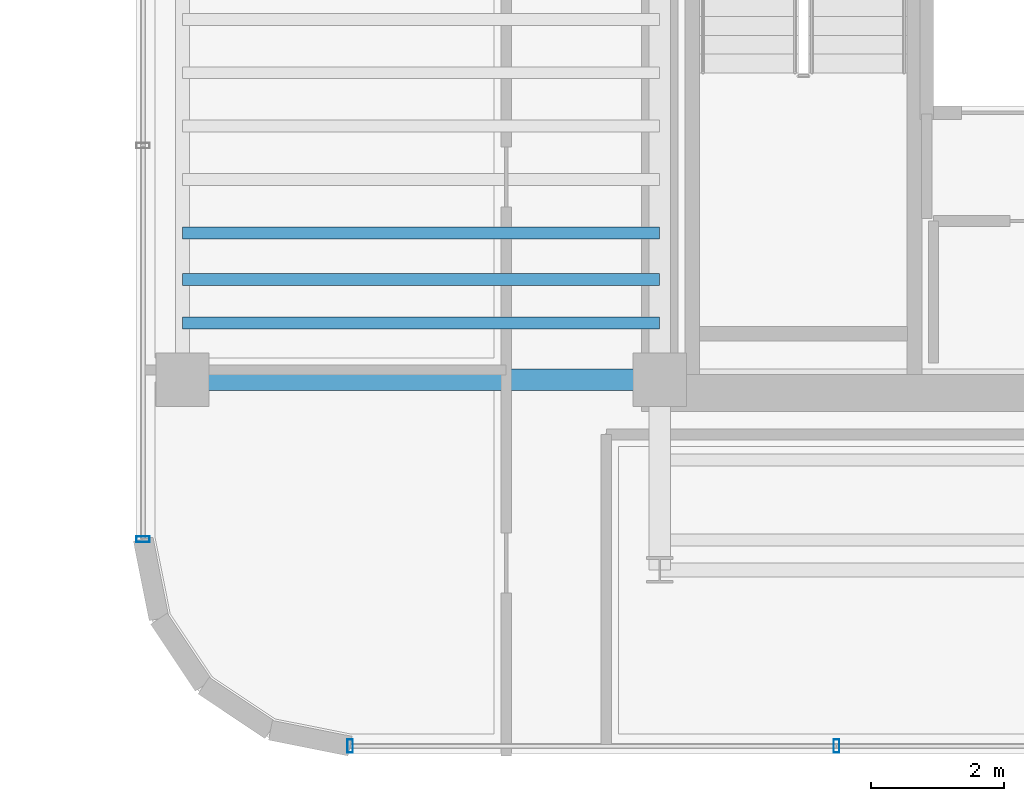
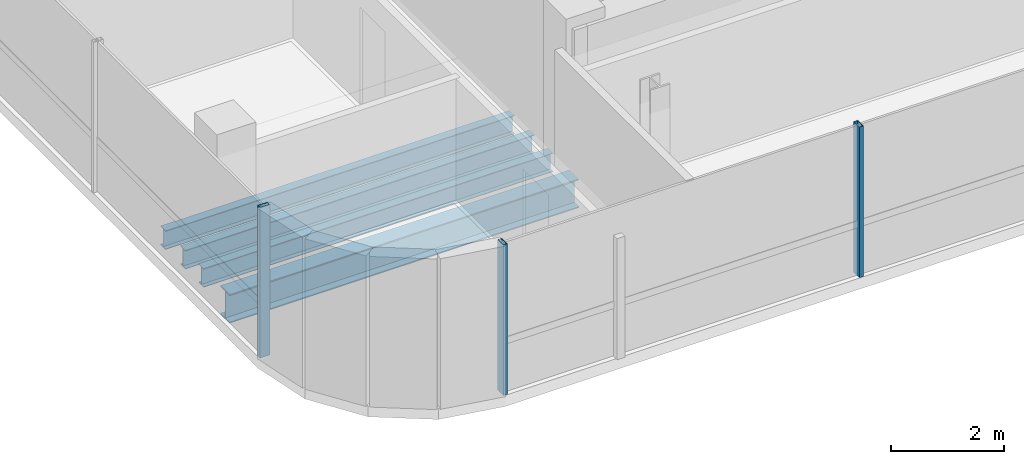
# One storey, part 2 of 20: 4 beams, 3 members, 2 elements without a shape of their own.
"""IFC4 building model written with IfcOpenShell, lengths in metres."""

from ifc_helpers import new_model, si_unit, direction, frame, origin, origin_2d, place, context, subcontext, project, spatial, hollow_rectangle, i_section, extrude, source, transform, mapped, material, material_profile, profile_set, type_object, element, aggregate, save


model = new_model("IFC4")

# Units and contexts
model_context = context("Model", 3, precision=1e-05, world=origin(), true_north=direction((0.0, 1.0)))
body_context = subcontext(model_context, "Body", "Model", "MODEL_VIEW")
ifc_project = project(units=[si_unit("LENGTHUNIT", "METRE"), si_unit("AREAUNIT", "SQUARE_METRE"), si_unit("VOLUMEUNIT", "CUBIC_METRE"), si_unit("PLANEANGLEUNIT", "RADIAN"), si_unit("MASSUNIT", "GRAM", prefix="KILO")], contexts=[model_context])

# Site, building, storey
site_placement = place(None, origin())
site = spatial("IfcSite", under=ifc_project, at=site_placement, CompositionType="ELEMENT")
building_placement = place(site_placement, origin())
building = spatial("IfcBuilding", under=site, at=building_placement, Name="Valdorenza Pilgrim Sanctuary Tower", CompositionType="ELEMENT")
storey_placement = place(building_placement, frame((0.0, 0.0, 283.5)))
storey = spatial("IfcBuildingStorey", under=building, at=storey_placement, Name="L74", CompositionType="ELEMENT", Elevation=283.5)

# Beams
ifc_material_1 = material(Name="Steel ASTM A992 Grade 50", Category="steel")
ifc_material_profile_1 = material_profile(ifc_material_1, i_section(OverallWidth=0.177978515625, OverallDepth=0.406005859375, WebThickness=0.0078125, FlangeThickness=0.0126953125, at=origin_2d()), Name="W16X40")
ifc_profile_set_1 = profile_set([ifc_material_profile_1], Name="Steel ASTM A992 Grade 50")
beam_type_1 = type_object("IfcBeamType", Name="STR-BM-JST-W16", PredefinedType="JOIST", material=ifc_profile_set_1)
shared_shape_1 = source(origin(), body_context, "Body", "SweptSolid", [
    extrude(i_section(OverallWidth=0.177978515625, OverallDepth=0.406005859375, WebThickness=0.0078125, FlangeThickness=0.0126953125, at=origin_2d()), origin(), (0.0, 0.0, 1.0), 7.150146484375),
])
for number, where, z_axis, x_axis, name in (
    (1, (-29.800048828125, -9.75, -0.443115234375), (1.0, 0.0, 0.0), (0.0, 1.0, 0.0), "L74 Composite Floor Joist JST-WA-1"),
    (2, (-29.800048828125, -9.10009765625, -0.443115234375), (1.0, 0.0, 0.0), (0.0, 1.0, 0.0), "L74 Composite Floor Joist JST-WA-2"),
    (3, (-29.800048828125, -8.39990234375, -0.443115234375), (1.0, 0.0, 0.0), (0.0, 1.0, 0.0), "L74 Composite Floor Joist JST-WA-3"),
):
    element("IfcBeam", number, at=place(storey_placement, frame(where, z_axis=z_axis, x_axis=x_axis)), inside=storey, type_object=beam_type_1, Name=name, PredefinedType="JOIST", context=body_context, shape_type="MappedRepresentation", body=[
        mapped(shared_shape_1, transform((0.0, 0.0, 0.0), x_axis=(1.0, 0.0, 0.0), y_axis=(0.0, 1.0, 0.0), z_axis=(0.0, 0.0, 1.0), scale=1.0)),
    ])
ifc_material_profile_2 = material_profile(ifc_material_1, i_section(OverallWidth=0.326904296875, OverallDepth=0.6220703125, WebThickness=0.015380859375, FlangeThickness=0.0244140625, at=origin_2d()), Name="W24X131")
ifc_profile_set_2 = profile_set([ifc_material_profile_2], Name="Steel ASTM A992 Grade 50")
beam_type_2 = type_object("IfcBeamType", Name="STR-BM-GRD-W24A", PredefinedType="BEAM", material=ifc_profile_set_2)
shared_shape_2 = source(origin(), body_context, "Body", "SweptSolid", [
    extrude(i_section(OverallWidth=0.326904296875, OverallDepth=0.6220703125, WebThickness=0.015380859375, FlangeThickness=0.0244140625, at=origin_2d()), origin(), (0.0, 0.0, 1.0), 7.150146484375),
])
beam_placement = place(storey_placement, frame((-29.800048828125, -10.60009765625, -0.551025390625), z_axis=(1.0, 0.0, 0.0), x_axis=(0.0, 1.0, 0.0)))
element("IfcBeam", 4, at=beam_placement, inside=storey, type_object=beam_type_2, Name="L74 Floor Girder WA-XW-S1", PredefinedType="BEAM", context=body_context, shape_type="MappedRepresentation", body=[
    mapped(shared_shape_2, transform((0.0, 0.0, 0.0), x_axis=(1.0, 0.0, 0.0), y_axis=(0.0, 1.0, 0.0), z_axis=(0.0, 0.0, 1.0), scale=1.0)),
])

# Curtain wall, member
ifc_material_2 = material(Name="Curtain-wall IGU glazing", Category="glass")
curtain_wall_type = type_object("IfcCurtainWallType", Name="CW-SYS-02", PredefinedType="NOTDEFINED", material=ifc_material_2)
curtain_wall_1_placement = place(storey_placement, origin())
curtain_wall_1 = element("IfcCurtainWall", 5, at=curtain_wall_1_placement, inside=storey, type_object=curtain_wall_type, Name="L74 Curtain Wall CW-L74-1-1S1", PredefinedType="NOTDEFINED")
ifc_material_3 = material(Name="Anodised aluminium AW-6060", Category="aluminium")
ifc_material_profile_3 = material_profile(ifc_material_3, hollow_rectangle(XDim=0.0849609375, YDim=0.199951171875, WallThickness=0.0048828125, at=origin_2d()), Name="ALU-M 200x85x5")
ifc_profile_set_3 = profile_set([ifc_material_profile_3], Name="Anodised aluminium AW-6060")
member_type = type_object("IfcMemberType", Name="CW-MUL-02", PredefinedType="MULLION", material=ifc_profile_set_3)
shared_shape_3 = source(origin(), body_context, "Body", "SweptSolid", [
    extrude(hollow_rectangle(XDim=0.0849609375, YDim=0.199951171875, WallThickness=0.0048828125, at=origin_2d()), origin(), (0.0, 0.0, 1.0), 3.260009765625),
])
member_1_placement = place(storey_placement, frame((-30.389892578125, -12.9892578125, 0.0), z_axis=(0.0, 0.0, 1.0), x_axis=(0.0, 1.0, 0.0)))
member_1 = element("IfcMember", 6, at=member_1_placement, type_object=member_type, Name="CW-L74-1-1S1 Mullion 1", PredefinedType="MULLION", context=body_context, shape_type="MappedRepresentation", body=[
    mapped(shared_shape_3, transform((0.0, 0.0, 0.0), x_axis=(1.0, 0.0, 0.0), y_axis=(0.0, 1.0, 0.0), z_axis=(0.0, 0.0, 1.0), scale=1.0)),
])
aggregate(curtain_wall_1, [member_1])

# Curtain wall, members
curtain_wall_2_placement = place(storey_placement, origin())
curtain_wall_2 = element("IfcCurtainWall", 7, at=curtain_wall_2_placement, inside=storey, type_object=curtain_wall_type, Name="L74 Curtain Wall CW-L74-1-26", PredefinedType="NOTDEFINED")
member_2_placement = place(storey_placement, frame((-20.0, -16.090087890625, 0.0), z_axis=(0.0, 0.0, 1.0), x_axis=(-1.0, 0.0, 0.0)))
member_2 = element("IfcMember", 8, at=member_2_placement, type_object=member_type, Name="CW-L74-1-26 Mullion 2", PredefinedType="MULLION", context=body_context, shape_type="MappedRepresentation", body=[
    mapped(shared_shape_3, transform((0.0, 0.0, 0.0), x_axis=(1.0, 0.0, 0.0), y_axis=(0.0, 1.0, 0.0), z_axis=(0.0, 0.0, 1.0), scale=1.0)),
])
member_3_placement = place(storey_placement, frame((-27.289306640625, -16.090087890625, 0.0), z_axis=(0.0, 0.0, 1.0), x_axis=(-1.0, 0.0, 0.0)))
member_3 = element("IfcMember", 9, at=member_3_placement, type_object=member_type, Name="CW-L74-1-26 Mullion 3", PredefinedType="MULLION", context=body_context, shape_type="MappedRepresentation", body=[
    mapped(shared_shape_3, transform((0.0, 0.0, 0.0), x_axis=(1.0, 0.0, 0.0), y_axis=(0.0, 1.0, 0.0), z_axis=(0.0, 0.0, 1.0), scale=1.0)),
])
aggregate(curtain_wall_2, [member_2, member_3])

save(model, "model.ifc")
